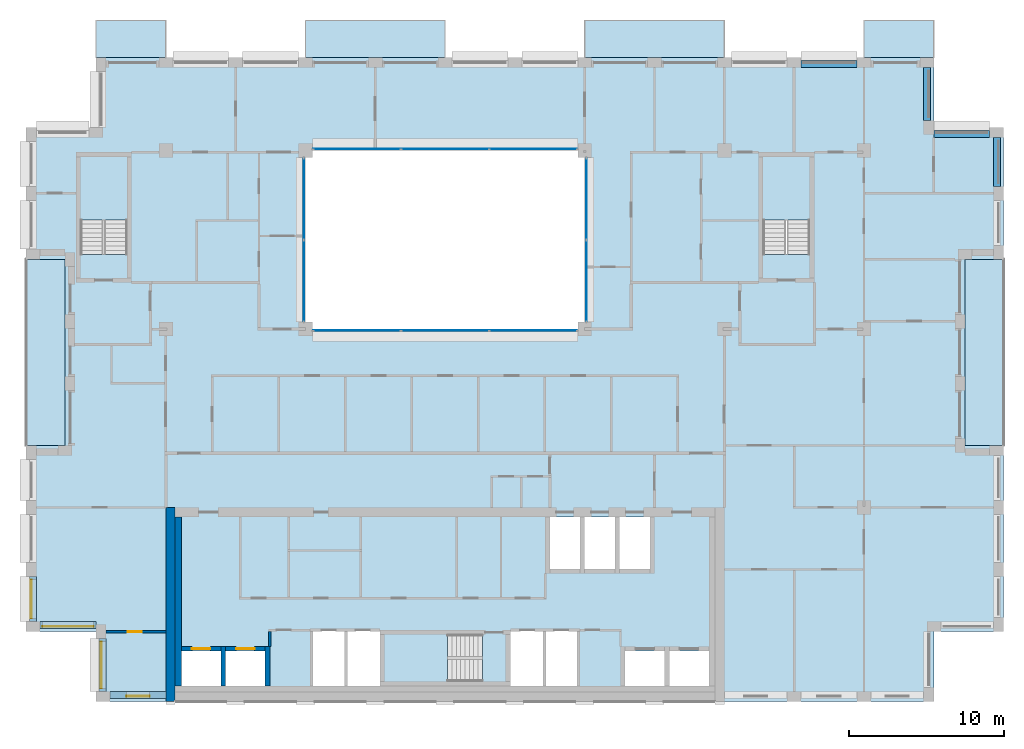
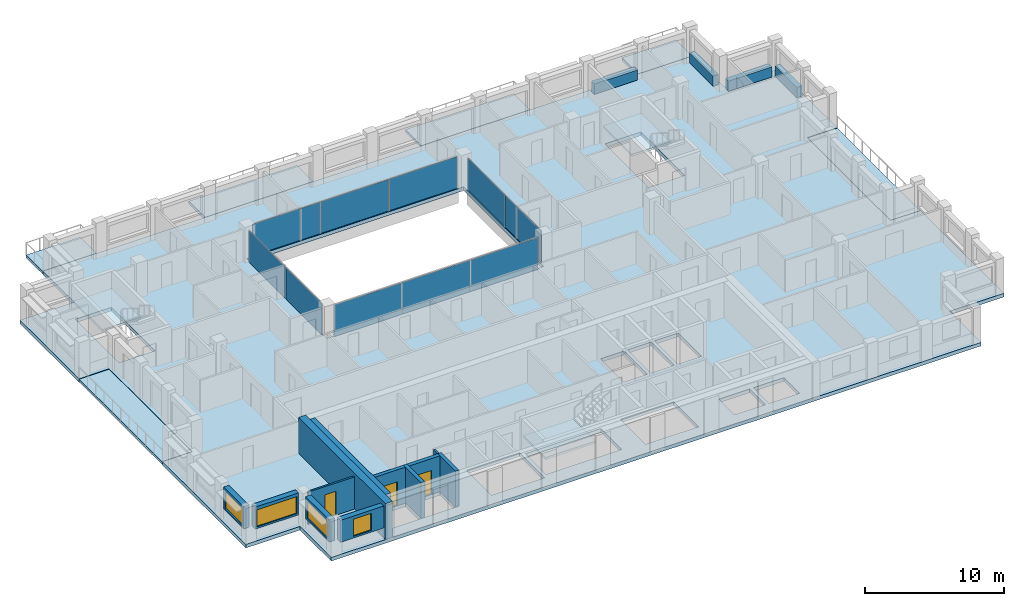
# One storey, part 7 of 15: 12 walls, 10 plates, 10 slabs, 4 beams, 4 windows, 3 doors, 7 openings, 7 elements without a shape of their own.
"""IFC4 building model written with IfcOpenShell, lengths in metres."""

from ifc_helpers import new_model, si_unit, direction, frame, frame_2d, origin, origin_2d, place, context, subcontext, project, spatial, polyline, rectangle, outline, extrude, material, layer, layer_set, material_profile, profile_set, type_object, element, fill, aggregate, save


model = new_model("IFC4")

# Units and contexts
model_context = context("Model", 3, precision=1e-05, world=origin(), true_north=direction((0.0, 1.0)))
body_context = subcontext(model_context, "Body", "Model", "MODEL_VIEW")
ifc_project = project(units=[si_unit("LENGTHUNIT", "METRE"), si_unit("AREAUNIT", "SQUARE_METRE"), si_unit("VOLUMEUNIT", "CUBIC_METRE"), si_unit("PLANEANGLEUNIT", "RADIAN"), si_unit("MASSUNIT", "GRAM", prefix="KILO")], contexts=[model_context])

# Site, building, storey
site_placement = place(None, origin())
site = spatial("IfcSite", under=ifc_project, at=site_placement, CompositionType="ELEMENT")
building_placement = place(site_placement, origin())
building = spatial("IfcBuilding", under=site, at=building_placement, Name="Brigalow Station Residences", CompositionType="ELEMENT")
storey_placement = place(building_placement, frame((0.0, 0.0, 220.050048828125)))
storey = spatial("IfcBuildingStorey", under=building, at=storey_placement, Name="L63", CompositionType="ELEMENT", Elevation=220.050048828125)

# Beams
ifc_material_1 = material(Name="Concrete C50", Category="concrete")
ifc_material_profile = material_profile(ifc_material_1, rectangle(XDim=0.449951171875, YDim=0.89990234375, at=origin_2d()), Name="RC450x900")
ifc_profile_set = profile_set([ifc_material_profile], Name="Concrete C50")
beam_type = type_object("IfcBeamType", Name="SPANDREL BEAM 450x900 C50", PredefinedType="SPANDREL", material=ifc_profile_set)
beam_1_placement = place(storey_placement, frame((71.574951171875, 33.199951171875, 0.449951171875), z_axis=(0.0, 1.0, 0.0), x_axis=(-1.0, 0.0, 0.0)))
element("IfcBeam", 1, at=beam_1_placement, inside=storey, type_object=beam_type, Name="L63/spandrel/W-L63-17", PredefinedType="SPANDREL", context=body_context, shape_type="SweptSolid", body=[
    extrude(rectangle(XDim=0.449951171875, YDim=0.89990234375, at=origin_2d()), origin(), (0.0, 0.0, 1.0), 3.150146484375),
])
beam_2_placement = place(storey_placement, frame((71.10009765625, 36.574951171875, 0.449951171875), z_axis=(-1.0, 0.0, 0.0), x_axis=(0.0, -1.0, 0.0)))
element("IfcBeam", 2, at=beam_2_placement, inside=storey, type_object=beam_type, Name="L63/spandrel/W-L63-18", PredefinedType="SPANDREL", context=body_context, shape_type="SweptSolid", body=[
    extrude(rectangle(XDim=0.449951171875, YDim=0.89990234375, at=origin_2d()), origin(), (0.0, 0.0, 1.0), 3.60009765625),
])
beam_3_placement = place(storey_placement, frame((67.074951171875, 37.449951171875, 0.449951171875), z_axis=(0.0, 1.0, 0.0), x_axis=(-1.0, 0.0, 0.0)))
element("IfcBeam", 3, at=beam_3_placement, inside=storey, type_object=beam_type, Name="L63/spandrel/W-L63-19", PredefinedType="SPANDREL", context=body_context, shape_type="SweptSolid", body=[
    extrude(rectangle(XDim=0.449951171875, YDim=0.89990234375, at=origin_2d()), origin(), (0.0, 0.0, 1.0), 3.400146484375),
])
beam_4_placement = place(storey_placement, frame((62.550048828125, 41.074951171875, 0.449951171875), z_axis=(-1.0, 0.0, 0.0), x_axis=(0.0, -1.0, 0.0)))
element("IfcBeam", 4, at=beam_4_placement, inside=storey, type_object=beam_type, Name="L63/spandrel/W-L63-21", PredefinedType="SPANDREL", context=body_context, shape_type="SweptSolid", body=[
    extrude(rectangle(XDim=0.449951171875, YDim=0.89990234375, at=origin_2d()), origin(), (0.0, 0.0, 1.0), 3.60009765625),
])

# Curtain wall, plates
ifc_material_2 = material(Name="Aluminium", Category="aluminium")
ifc_layer_1 = layer(ifc_material_2, 0.14990234375)
ifc_layer_set_1 = layer_set([ifc_layer_1], Name="ATRIUM FIRE-RATED GLAZING CURTAIN WALL")
curtain_wall_type = type_object("IfcCurtainWallType", Name="ATRIUM FIRE-RATED GLAZING CURTAIN WALL", PredefinedType="NOTDEFINED", material=ifc_layer_set_1)
curtain_wall_1_placement = place(storey_placement, origin())
curtain_wall_1 = element("IfcCurtainWall", 5, at=curtain_wall_1_placement, inside=storey, type_object=curtain_wall_type, Name="L63/cw/atrium-S", PredefinedType="NOTDEFINED")
ifc_material_3 = material(Name="Fire-resisting laminated glazing, FRL -/60/-", Category="glass")
ifc_layer_2 = layer(ifc_material_3, 0.031982421875)
ifc_layer_set_2 = layer_set([ifc_layer_2], Name="ATRIUM FIRE-RATED GLAZING PANEL 32")
plate_type = type_object("IfcPlateType", Name="ATRIUM FIRE-RATED GLAZING PANEL 32", PredefinedType="CURTAIN_PANEL", material=ifc_layer_set_2)
plate_1_placement = place(storey_placement, frame((30.31494140625, 23.89990234375, 0.0), z_axis=(0.0, 0.0, 1.0), x_axis=(1.0, 0.0, 0.0)))
plate_1 = element("IfcPlate", 6, at=plate_1_placement, type_object=plate_type, Name="L63/cw/atrium-S/P00-00", PredefinedType="CURTAIN_PANEL", context=body_context, shape_type="SweptSolid", body=[
    extrude(rectangle(XDim=5.610107421875, YDim=0.031982421875, at=origin_2d()), origin(), (0.0, 0.0, 1.0), 2.77001953125),
])
plate_2_placement = place(storey_placement, frame((36.0, 23.89990234375, 0.0), z_axis=(0.0, 0.0, 1.0), x_axis=(1.0, 0.0, 0.0)))
plate_2 = element("IfcPlate", 7, at=plate_2_placement, type_object=plate_type, Name="L63/cw/atrium-S/P01-00", PredefinedType="CURTAIN_PANEL", context=body_context, shape_type="SweptSolid", body=[
    extrude(rectangle(XDim=5.639892578125, YDim=0.031982421875, at=origin_2d()), origin(), (0.0, 0.0, 1.0), 2.77001953125),
])
plate_3_placement = place(storey_placement, frame((41.68505859375, 23.89990234375, 0.0), z_axis=(0.0, 0.0, 1.0), x_axis=(1.0, 0.0, 0.0)))
plate_3 = element("IfcPlate", 8, at=plate_3_placement, type_object=plate_type, Name="L63/cw/atrium-S/P02-00", PredefinedType="CURTAIN_PANEL", context=body_context, shape_type="SweptSolid", body=[
    extrude(rectangle(XDim=5.610107421875, YDim=0.031982421875, at=origin_2d()), origin(), (0.0, 0.0, 1.0), 2.77001953125),
])
aggregate(curtain_wall_1, [plate_1, plate_2, plate_3])

curtain_wall_2_placement = place(storey_placement, origin())
curtain_wall_2 = element("IfcCurtainWall", 9, at=curtain_wall_2_placement, inside=storey, type_object=curtain_wall_type, Name="L63/cw/atrium-E", PredefinedType="NOTDEFINED")
plate_4_placement = place(storey_placement, frame((45.10009765625, 27.114990234375, 0.0), z_axis=(0.0, 0.0, 1.0), x_axis=(0.0, 1.0, 0.0)))
plate_4 = element("IfcPlate", 10, at=plate_4_placement, type_object=plate_type, Name="L63/cw/atrium-E/P00-00", PredefinedType="CURTAIN_PANEL", context=body_context, shape_type="SweptSolid", body=[
    extrude(rectangle(XDim=5.2099609375, YDim=0.031982421875, at=origin_2d()), origin(), (0.0, 0.0, 1.0), 2.77001953125),
])
plate_5_placement = place(storey_placement, frame((45.10009765625, 32.385009765625, 0.0), z_axis=(0.0, 0.0, 1.0), x_axis=(0.0, 1.0, 0.0)))
plate_5 = element("IfcPlate", 11, at=plate_5_placement, type_object=plate_type, Name="L63/cw/atrium-E/P01-00", PredefinedType="CURTAIN_PANEL", context=body_context, shape_type="SweptSolid", body=[
    extrude(rectangle(XDim=5.2099609375, YDim=0.031982421875, at=origin_2d()), origin(), (0.0, 0.0, 1.0), 2.77001953125),
])
aggregate(curtain_wall_2, [plate_4, plate_5])

curtain_wall_3_placement = place(storey_placement, origin())
curtain_wall_3 = element("IfcCurtainWall", 12, at=curtain_wall_3_placement, inside=storey, type_object=curtain_wall_type, Name="L63/cw/atrium-N", PredefinedType="NOTDEFINED")
plate_6_placement = place(storey_placement, frame((41.68505859375, 35.60009765625, 0.0), z_axis=(0.0, 0.0, 1.0), x_axis=(-1.0, 0.0, 0.0)))
plate_6 = element("IfcPlate", 13, at=plate_6_placement, type_object=plate_type, Name="L63/cw/atrium-N/P00-00", PredefinedType="CURTAIN_PANEL", context=body_context, shape_type="SweptSolid", body=[
    extrude(rectangle(XDim=5.610107421875, YDim=0.031982421875, at=origin_2d()), origin(), (0.0, 0.0, 1.0), 2.77001953125),
])
plate_7_placement = place(storey_placement, frame((36.0, 35.60009765625, 0.0), z_axis=(0.0, 0.0, 1.0), x_axis=(-1.0, 0.0, 0.0)))
plate_7 = element("IfcPlate", 14, at=plate_7_placement, type_object=plate_type, Name="L63/cw/atrium-N/P01-00", PredefinedType="CURTAIN_PANEL", context=body_context, shape_type="SweptSolid", body=[
    extrude(rectangle(XDim=5.639892578125, YDim=0.031982421875, at=origin_2d()), origin(), (0.0, 0.0, 1.0), 2.77001953125),
])
plate_8_placement = place(storey_placement, frame((30.31494140625, 35.60009765625, 0.0), z_axis=(0.0, 0.0, 1.0), x_axis=(-1.0, 0.0, 0.0)))
plate_8 = element("IfcPlate", 15, at=plate_8_placement, type_object=plate_type, Name="L63/cw/atrium-N/P02-00", PredefinedType="CURTAIN_PANEL", context=body_context, shape_type="SweptSolid", body=[
    extrude(rectangle(XDim=5.610107421875, YDim=0.031982421875, at=origin_2d()), origin(), (0.0, 0.0, 1.0), 2.77001953125),
])
aggregate(curtain_wall_3, [plate_6, plate_7, plate_8])

curtain_wall_4_placement = place(storey_placement, origin())
curtain_wall_4 = element("IfcCurtainWall", 16, at=curtain_wall_4_placement, inside=storey, type_object=curtain_wall_type, Name="L63/cw/atrium-W", PredefinedType="NOTDEFINED")
plate_9_placement = place(storey_placement, frame((26.89990234375, 32.385009765625, 0.0), z_axis=(0.0, 0.0, 1.0), x_axis=(0.0, -1.0, 0.0)))
plate_9 = element("IfcPlate", 17, at=plate_9_placement, type_object=plate_type, Name="L63/cw/atrium-W/P00-00", PredefinedType="CURTAIN_PANEL", context=body_context, shape_type="SweptSolid", body=[
    extrude(rectangle(XDim=5.2099609375, YDim=0.031982421875, at=origin_2d()), origin(), (0.0, 0.0, 1.0), 2.77001953125),
])
plate_10_placement = place(storey_placement, frame((26.89990234375, 27.114990234375, 0.0), z_axis=(0.0, 0.0, 1.0), x_axis=(0.0, -1.0, 0.0)))
plate_10 = element("IfcPlate", 18, at=plate_10_placement, type_object=plate_type, Name="L63/cw/atrium-W/P01-00", PredefinedType="CURTAIN_PANEL", context=body_context, shape_type="SweptSolid", body=[
    extrude(rectangle(XDim=5.2099609375, YDim=0.031982421875, at=origin_2d()), origin(), (0.0, 0.0, 1.0), 2.77001953125),
])
aggregate(curtain_wall_4, [plate_9, plate_10])

# Slabs
ifc_material_4 = material(Name="Concrete C50 precast", Category="concrete")
ifc_layer_3 = layer(ifc_material_4, 0.25)
ifc_layer_set_3 = layer_set([ifc_layer_3], Name="BALCONY SLAB 250")
slab_type_1 = type_object("IfcSlabType", Name="BALCONY SLAB 250", PredefinedType="USERDEFINED", material=ifc_layer_set_3)
slab_1_placement = place(storey_placement, frame((0.0, 0.0, -0.2900390625)))
element("IfcSlab", 19, at=slab_1_placement, inside=storey, type_object=slab_type_1, Name="L63/balcony/1", ObjectType="BALCONY", PredefinedType="USERDEFINED", context=body_context, shape_type="SweptSolid", body=[
    extrude(outline(polyline([(69.5, 16.5), (72.0, 16.5), (72.0, 28.5), (69.5, 28.5), (69.5, 16.5)])), origin(), (0.0, 0.0, 1.0), 0.25),
])
slab_2_placement = place(storey_placement, frame((0.0, 0.0, -0.2900390625)))
element("IfcSlab", 20, at=slab_2_placement, inside=storey, type_object=slab_type_1, Name="L63/balcony/2", ObjectType="BALCONY", PredefinedType="USERDEFINED", context=body_context, shape_type="SweptSolid", body=[
    extrude(outline(polyline([(67.5, 41.5), (67.5, 43.89990234375), (63.0, 43.89990234375), (63.0, 41.5), (67.5, 41.5)])), origin(), (0.0, 0.0, 1.0), 0.25),
])
slab_3_placement = place(storey_placement, frame((0.0, 0.0, -0.2900390625)))
element("IfcSlab", 21, at=slab_3_placement, inside=storey, type_object=slab_type_1, Name="L63/balcony/3", ObjectType="BALCONY", PredefinedType="USERDEFINED", context=body_context, shape_type="SweptSolid", body=[
    extrude(outline(polyline([(54.0, 41.5), (54.0, 43.89990234375), (45.0, 43.89990234375), (45.0, 41.5), (54.0, 41.5)])), origin(), (0.0, 0.0, 1.0), 0.25),
])
slab_4_placement = place(storey_placement, frame((0.0, 0.0, -0.2900390625)))
element("IfcSlab", 22, at=slab_4_placement, inside=storey, type_object=slab_type_1, Name="L63/balcony/4", ObjectType="BALCONY", PredefinedType="USERDEFINED", context=body_context, shape_type="SweptSolid", body=[
    extrude(outline(polyline([(36.0, 41.5), (36.0, 43.89990234375), (27.0, 43.89990234375), (27.0, 41.5), (36.0, 41.5)])), origin(), (0.0, 0.0, 1.0), 0.25),
])
slab_5_placement = place(storey_placement, frame((0.0, 0.0, -0.2900390625)))
element("IfcSlab", 23, at=slab_5_placement, inside=storey, type_object=slab_type_1, Name="L63/balcony/5", ObjectType="BALCONY", PredefinedType="USERDEFINED", context=body_context, shape_type="SweptSolid", body=[
    extrude(outline(polyline([(18.0, 41.5), (18.0, 43.89990234375), (13.5, 43.89990234375), (13.5, 41.5), (18.0, 41.5)])), origin(), (0.0, 0.0, 1.0), 0.25),
])
slab_6_placement = place(storey_placement, frame((0.0, 0.0, -0.2900390625)))
element("IfcSlab", 24, at=slab_6_placement, inside=storey, type_object=slab_type_1, Name="L63/balcony/6", ObjectType="BALCONY", PredefinedType="USERDEFINED", context=body_context, shape_type="SweptSolid", body=[
    extrude(outline(polyline([(11.5, 28.5), (9.0, 28.5), (9.0, 16.5), (11.5, 16.5), (11.5, 28.5)])), origin(), (0.0, 0.0, 1.0), 0.25),
])
ifc_material_5 = material(Name="Concrete C50", Category="concrete")
ifc_layer_4 = layer(ifc_material_5, 0.320068359375)
ifc_layer_set_4 = layer_set([ifc_layer_4], Name="POST-TENSIONED FLAT PLATE 320 C50")
slab_type_2 = type_object("IfcSlabType", Name="POST-TENSIONED FLAT PLATE 320 C50", PredefinedType="FLOOR", material=ifc_layer_set_4)
slab_7_placement = place(storey_placement, frame((0.0, 0.0, -0.320068359375)))
element("IfcSlab", 25, at=slab_7_placement, inside=storey, type_object=slab_type_2, Name="FLOOR SLAB L63", PredefinedType="FLOOR", context=body_context, shape_type="SweptSolid", body=[
    extrude(outline(polyline([(13.5, 0.0), (67.5, 0.0), (67.5, 4.5), (72.0, 4.5), (72.0, 16.5), (69.5, 16.5), (69.5, 28.5), (72.0, 28.5), (72.0, 37.0), (67.5, 37.0), (67.5, 41.5), (13.5, 41.5), (13.5, 37.0), (9.0, 37.0), (9.0, 28.5), (11.5, 28.5), (11.5, 16.5), (9.0, 16.5), (9.0, 4.5), (13.5, 4.5), (13.5, 0.0)]), holes=[polyline([(12.5048828125, 35.094970703125), (15.4951171875, 35.094970703125), (15.4951171875, 28.804931640625), (12.5048828125, 28.804931640625), (12.5048828125, 35.094970703125)]), polyline([(19.0, 1.0), (19.0, 3.25), (21.550048828125, 3.25), (21.550048828125, 1.0), (19.0, 1.0)]), polyline([(21.85009765625, 3.25), (24.39990234375, 3.25), (24.39990234375, 1.0), (21.85009765625, 1.0), (21.85009765625, 3.25)]), polyline([(27.0, 35.5), (45.0, 35.5), (45.0, 24.0), (27.0, 24.0), (27.0, 35.5)]), polyline([(29.60009765625, 4.60009765625), (31.800048828125, 4.60009765625), (31.800048828125, 1.0), (29.60009765625, 1.0), (27.39990234375, 1.0), (27.39990234375, 4.60009765625), (29.60009765625, 4.60009765625)]), polyline([(32.10498046875, 4.294921875), (38.39501953125, 4.294921875), (38.39501953125, 1.304931640625), (32.10498046875, 1.304931640625), (32.10498046875, 4.294921875)]), polyline([(40.199951171875, 4.60009765625), (42.39990234375, 4.60009765625), (44.60009765625, 4.60009765625), (44.60009765625, 1.0), (42.39990234375, 1.0), (40.199951171875, 1.0), (40.199951171875, 4.60009765625)]), polyline([(42.75, 11.89990234375), (44.699951171875, 11.89990234375), (44.699951171875, 8.550048828125), (42.75, 8.550048828125), (42.75, 11.89990234375)]), polyline([(45.0, 11.89990234375), (46.949951171875, 11.89990234375), (46.949951171875, 8.550048828125), (45.0, 8.550048828125), (45.0, 11.89990234375)]), polyline([(47.25, 11.89990234375), (49.199951171875, 11.89990234375), (49.199951171875, 8.550048828125), (47.25, 8.550048828125), (47.25, 11.89990234375)]), polyline([(47.60009765625, 3.25), (50.14990234375, 3.25), (50.14990234375, 1.0), (47.60009765625, 1.0), (47.60009765625, 3.25)]), polyline([(50.449951171875, 3.25), (53.0, 3.25), (53.0, 1.0), (50.449951171875, 1.0), (50.449951171875, 3.25)]), polyline([(56.5048828125, 35.094970703125), (59.4951171875, 35.094970703125), (59.4951171875, 28.804931640625), (56.5048828125, 28.804931640625), (56.5048828125, 35.094970703125)])]), origin(), (0.0, 0.0, 1.0), 0.320068359375),
])

# Stair, slab
ifc_material_6 = material(Name="Concrete C50", Category="concrete")
stair_type = type_object("IfcStairType", Name="EXIT STAIR 1400 2 FLIGHT", PredefinedType="HALF_TURN_STAIR", material=ifc_material_6)
stair_1_placement = place(storey_placement, origin())
stair_1 = element("IfcStair", 26, at=stair_1_placement, inside=storey, type_object=stair_type, Name="EXIT STAIR S2 L63", PredefinedType="HALF_TURN_STAIR")
ifc_material_7 = material(Name="Concrete C50", Category="concrete")
ifc_layer_5 = layer(ifc_material_7, 0.199951171875)
ifc_layer_set_5 = layer_set([ifc_layer_5], Name="STAIR LANDING 200")
slab_type_3 = type_object("IfcSlabType", Name="STAIR LANDING 200", PredefinedType="LANDING", material=ifc_layer_set_5)
slab_8_placement = place(storey_placement, frame((0.0, 0.0, 1.375)))
slab_8 = element("IfcSlab", 27, at=slab_8_placement, type_object=slab_type_3, Name="ST-2 landing 1", PredefinedType="LANDING", context=body_context, shape_type="SweptSolid", body=[
    extrude(outline(polyline([(32.0, 1.199951171875), (36.159912109375, 1.199951171875), (36.159912109375, 4.39990234375), (32.0, 4.39990234375), (32.0, 1.199951171875)])), origin(), (0.0, 0.0, 1.0), 0.199951171875),
])
aggregate(stair_1, [slab_8])

stair_2_placement = place(storey_placement, origin())
stair_2 = element("IfcStair", 28, at=stair_2_placement, inside=storey, type_object=stair_type, Name="EXIT STAIR S1 L63", PredefinedType="HALF_TURN_STAIR")
slab_9_placement = place(storey_placement, frame((0.0, 0.0, 1.375)))
slab_9 = element("IfcSlab", 29, at=slab_9_placement, type_object=slab_type_3, Name="ST-1 landing 1", PredefinedType="LANDING", context=body_context, shape_type="SweptSolid", body=[
    extrude(outline(polyline([(12.39990234375, 31.0400390625), (15.60009765625, 31.0400390625), (15.60009765625, 35.199951171875), (12.39990234375, 35.199951171875), (12.39990234375, 31.0400390625)])), origin(), (0.0, 0.0, 1.0), 0.199951171875),
])
aggregate(stair_2, [slab_9])

stair_3_placement = place(storey_placement, origin())
stair_3 = element("IfcStair", 30, at=stair_3_placement, inside=storey, type_object=stair_type, Name="EXIT STAIR S3 L63", PredefinedType="HALF_TURN_STAIR")
slab_10_placement = place(storey_placement, frame((0.0, 0.0, 1.375)))
slab_10 = element("IfcSlab", 31, at=slab_10_placement, type_object=slab_type_3, Name="ST-3 landing 1", PredefinedType="LANDING", context=body_context, shape_type="SweptSolid", body=[
    extrude(outline(polyline([(56.39990234375, 31.0400390625), (59.60009765625, 31.0400390625), (59.60009765625, 35.199951171875), (56.39990234375, 35.199951171875), (56.39990234375, 31.0400390625)])), origin(), (0.0, 0.0, 1.0), 0.199951171875),
])
aggregate(stair_3, [slab_10])

# Wall, opening, window
ifc_material_8 = material(Name="Clay brick masonry", Category="masonry")
ifc_layer_6 = layer(ifc_material_8, 0.449951171875)
ifc_layer_set_6 = layer_set([ifc_layer_6], Name="BRICK INFILL WALL 450")
wall_type_1 = type_object("IfcWallType", Name="BRICK INFILL WALL 450", PredefinedType="SOLIDWALL", material=ifc_layer_set_6)
wall_1_placement = place(storey_placement, frame((14.39990234375, 0.425048828125, 0.89990234375), z_axis=(0.0, 0.0, 1.0), x_axis=(1.0, 0.0, 0.0)))
wall_1 = element("IfcWall", 32, at=wall_1_placement, inside=storey, type_object=wall_type_1, Name="L63/ewall/W-L63-1", PredefinedType="SOLIDWALL", context=body_context, shape_type="SweptSolid", body=[
    extrude(rectangle(XDim=3.60009765625, YDim=0.449951171875, at=frame_2d((1.800048828125, 0.0))), origin(), (0.0, 0.0, 1.0), 1.929931640625),
])
opening_1_placement = place(wall_1_placement, frame((1.050048828125, 0.0, 0.14990234375)))
opening_1 = element("IfcOpeningElement", 33, at=opening_1_placement, cuts=wall_1, Name="Opening WT-1", PredefinedType="OPENING", context=body_context, shape_type="SweptSolid", body=[
    extrude(rectangle(XDim=1.5, YDim=1.5, at=frame_2d((0.75, 0.75))), frame((0.0, 0.23486328125, 0.0), z_axis=(0.0, -1.0, 0.0), x_axis=(1.0, 0.0, 0.0)), (0.0, 0.0, 1.0), 0.469970703125),
])
ifc_material_9 = material(Name="Anodised aluminium frame with double glazing", Category="aluminium")
window_type_1 = type_object("IfcWindowType", Name="WINDOW 1500x1500", PartitioningType="SINGLE_PANEL", PredefinedType="WINDOW", material=ifc_material_9)
window_1_placement = place(opening_1_placement, origin())
window_1 = element("IfcWindow", 34, at=window_1_placement, inside=storey, type_object=window_type_1, Name="L63/window/W-L63-1", OverallHeight=1.5, OverallWidth=1.5, PartitioningType="SINGLE_PANEL", PredefinedType="WINDOW", context=body_context, shape_type="SweptSolid", body=[
    extrude(rectangle(XDim=1.5, YDim=1.5, at=frame_2d((0.75, 0.75))), frame((0.0, -0.06494140625, 0.0), z_axis=(0.0, -1.0, 0.0), x_axis=(1.0, 0.0, 0.0)), (0.0, 0.0, 1.0), 0.06005859375),
])
fill(opening_1, window_1)

wall_2_placement = place(storey_placement, frame((9.425048828125, 8.050048828125, 0.89990234375), z_axis=(0.0, 0.0, 1.0), x_axis=(0.0, -1.0, 0.0)))
wall_2 = element("IfcWall", 35, at=wall_2_placement, inside=storey, type_object=wall_type_1, Name="L63/ewall/W-L63-43", PredefinedType="SOLIDWALL", context=body_context, shape_type="SweptSolid", body=[
    extrude(rectangle(XDim=2.900146484375, YDim=0.449951171875, at=frame_2d((1.4501953125, 0.0))), origin(), (0.0, 0.0, 1.0), 1.929931640625),
])
opening_2_placement = place(wall_2_placement, frame((0.199951171875, 0.0, 0.14990234375)))
opening_2 = element("IfcOpeningElement", 36, at=opening_2_placement, cuts=wall_2, Name="Opening WT-5", PredefinedType="OPENING", context=body_context, shape_type="SweptSolid", body=[
    extrude(rectangle(XDim=2.5, YDim=1.5, at=frame_2d((1.25, 0.75))), frame((0.0, 0.23486328125, 0.0), z_axis=(0.0, -1.0, 0.0), x_axis=(1.0, 0.0, 0.0)), (0.0, 0.0, 1.0), 0.469970703125),
])
ifc_material_10 = material(Name="Anodised aluminium frame with double glazing", Category="aluminium")
window_type_2 = type_object("IfcWindowType", Name="WINDOW 2500x1500", PartitioningType="SINGLE_PANEL", PredefinedType="WINDOW", material=ifc_material_10)
window_2_placement = place(opening_2_placement, origin())
window_2 = element("IfcWindow", 37, at=window_2_placement, inside=storey, type_object=window_type_2, Name="L63/window/W-L63-43", OverallHeight=1.5, OverallWidth=2.5, PartitioningType="SINGLE_PANEL", PredefinedType="WINDOW", context=body_context, shape_type="SweptSolid", body=[
    extrude(rectangle(XDim=2.5, YDim=1.5, at=frame_2d((1.25, 0.75))), frame((0.0, -0.06494140625, 0.0), z_axis=(0.0, -1.0, 0.0), x_axis=(1.0, 0.0, 0.0)), (0.0, 0.0, 1.0), 0.06005859375),
])
fill(opening_2, window_2)

wall_3_placement = place(storey_placement, frame((9.89990234375, 4.925048828125, 0.89990234375), z_axis=(0.0, 0.0, 1.0), x_axis=(1.0, 0.0, 0.0)))
wall_3 = element("IfcWall", 38, at=wall_3_placement, inside=storey, type_object=wall_type_1, Name="L63/ewall/W-L63-44", PredefinedType="SOLIDWALL", context=body_context, shape_type="SweptSolid", body=[
    extrude(rectangle(XDim=3.60009765625, YDim=0.449951171875, at=frame_2d((1.800048828125, 0.0))), origin(), (0.0, 0.0, 1.0), 1.929931640625),
])
opening_3_placement = place(wall_3_placement, frame((0.14990234375, 0.0, 0.14990234375)))
opening_3 = element("IfcOpeningElement", 39, at=opening_3_placement, cuts=wall_3, Name="Opening WT-10", PredefinedType="OPENING", context=body_context, shape_type="SweptSolid", body=[
    extrude(rectangle(XDim=3.300048828125, YDim=1.5, at=frame_2d((1.64990234375, 0.75))), frame((0.0, 0.23486328125, 0.0), z_axis=(0.0, -1.0, 0.0), x_axis=(1.0, 0.0, 0.0)), (0.0, 0.0, 1.0), 0.469970703125),
])
ifc_material_11 = material(Name="Anodised aluminium frame with double glazing", Category="aluminium")
window_type_3 = type_object("IfcWindowType", Name="WINDOW 3300x1500", PartitioningType="SINGLE_PANEL", PredefinedType="WINDOW", material=ifc_material_11)
window_3_placement = place(opening_3_placement, origin())
window_3 = element("IfcWindow", 40, at=window_3_placement, inside=storey, type_object=window_type_3, Name="L63/window/W-L63-44", OverallHeight=1.5, OverallWidth=3.300048828125, PartitioningType="SINGLE_PANEL", PredefinedType="WINDOW", context=body_context, shape_type="SweptSolid", body=[
    extrude(rectangle(XDim=3.300048828125, YDim=1.5, at=frame_2d((1.64990234375, 0.75))), frame((0.0, -0.06494140625, 0.0), z_axis=(0.0, -1.0, 0.0), x_axis=(1.0, 0.0, 0.0)), (0.0, 0.0, 1.0), 0.06005859375),
])
fill(opening_3, window_3)

wall_4_placement = place(storey_placement, frame((13.925048828125, 4.050048828125, 0.89990234375), z_axis=(0.0, 0.0, 1.0), x_axis=(0.0, -1.0, 0.0)))
wall_4 = element("IfcWall", 41, at=wall_4_placement, inside=storey, type_object=wall_type_1, Name="L63/ewall/W-L63-45", PredefinedType="SOLIDWALL", context=body_context, shape_type="SweptSolid", body=[
    extrude(rectangle(XDim=3.400146484375, YDim=0.449951171875, at=frame_2d((1.7001953125, 0.0))), origin(), (0.0, 0.0, 1.0), 1.929931640625),
])
opening_4_placement = place(wall_4_placement, frame((0.199951171875, 0.0, 0.14990234375)))
opening_4 = element("IfcOpeningElement", 42, at=opening_4_placement, cuts=wall_4, Name="Opening WT-2", PredefinedType="OPENING", context=body_context, shape_type="SweptSolid", body=[
    extrude(rectangle(XDim=3.0, YDim=1.5, at=frame_2d((1.5, 0.75))), frame((0.0, 0.23486328125, 0.0), z_axis=(0.0, -1.0, 0.0), x_axis=(1.0, 0.0, 0.0)), (0.0, 0.0, 1.0), 0.469970703125),
])
ifc_material_12 = material(Name="Anodised aluminium frame with double glazing", Category="aluminium")
window_type_4 = type_object("IfcWindowType", Name="WINDOW 3000x1500", PartitioningType="SINGLE_PANEL", PredefinedType="WINDOW", material=ifc_material_12)
window_4_placement = place(opening_4_placement, origin())
window_4 = element("IfcWindow", 43, at=window_4_placement, inside=storey, type_object=window_type_4, Name="L63/window/W-L63-45", OverallHeight=1.5, OverallWidth=3.0, PartitioningType="SINGLE_PANEL", PredefinedType="WINDOW", context=body_context, shape_type="SweptSolid", body=[
    extrude(rectangle(XDim=3.0, YDim=1.5, at=frame_2d((1.5, 0.75))), frame((0.0, -0.06494140625, 0.0), z_axis=(0.0, -1.0, 0.0), x_axis=(1.0, 0.0, 0.0)), (0.0, 0.0, 1.0), 0.06005859375),
])
fill(opening_4, window_4)

# Wall, opening, door
ifc_material_13 = material(Name="Concrete C50", Category="concrete")
ifc_layer_7 = layer(ifc_material_13, 0.300048828125)
ifc_layer_set_7 = layer_set([ifc_layer_7], Name="CORE SHEAR WALL 300 C50")
wall_type_2 = type_object("IfcWallType", Name="CORE SHEAR WALL 300 C50", PredefinedType="SHEAR", material=ifc_layer_set_7)
wall_5_placement = place(storey_placement, frame((19.0, 3.39990234375, 0.0), z_axis=(0.0, 0.0, 1.0), x_axis=(1.0, 0.0, 0.0)))
wall_5 = element("IfcWall", 44, at=wall_5_placement, inside=storey, type_object=wall_type_2, Name="CORE WALL SH-C1-N L63", PredefinedType="SHEAR", context=body_context, shape_type="SweptSolid", body=[
    extrude(rectangle(XDim=2.550048828125, YDim=0.300048828125, at=frame_2d((1.27490234375, 0.0))), origin(), (0.0, 0.0, 1.0), 3.14990234375),
])
opening_5_placement = place(wall_5_placement, frame((0.675048828125, 0.0, 0.0)))
opening_5 = element("IfcOpeningElement", 45, at=opening_5_placement, cuts=wall_5, Name="Opening LD-LB1", PredefinedType="OPENING", context=body_context, shape_type="SweptSolid", body=[
    extrude(rectangle(XDim=1.199951171875, YDim=2.10009765625, at=frame_2d((0.60009765625, 1.050048828125))), frame((0.0, 0.16015625, 0.0), z_axis=(0.0, -1.0, 0.0), x_axis=(1.0, 0.0, 0.0)), (0.0, 0.0, 1.0), 0.320068359375),
])
ifc_material_14 = material(Name="Stainless steel sliding door leaves", Category="steel")
door_type_1 = type_object("IfcDoorType", Name="LIFT LANDING DOOR 1200 x 2100", OperationType="DOUBLE_DOOR_SLIDING", PredefinedType="DOOR", material=ifc_material_14)
door_1_placement = place(opening_5_placement, origin())
door_1 = element("IfcDoor", 46, at=door_1_placement, inside=storey, type_object=door_type_1, Name="LANDING DOOR LB1", OperationType="DOUBLE_DOOR_SLIDING", OverallHeight=2.10009765625, OverallWidth=1.199951171875, PredefinedType="DOOR", context=body_context, shape_type="SweptSolid", body=[
    extrude(rectangle(XDim=1.199951171875, YDim=2.10009765625, at=frame_2d((0.60009765625, 1.050048828125))), frame((0.0, 0.02490234375, 0.0), z_axis=(0.0, -1.0, 0.0), x_axis=(1.0, 0.0, 0.0)), (0.0, 0.0, 1.0), 0.050048828125),
])
fill(opening_5, door_1)

wall_6_placement = place(storey_placement, frame((21.85009765625, 3.39990234375, 0.0), z_axis=(0.0, 0.0, 1.0), x_axis=(1.0, 0.0, 0.0)))
wall_6 = element("IfcWall", 47, at=wall_6_placement, inside=storey, type_object=wall_type_2, Name="CORE WALL SH-C2-N L63", PredefinedType="SHEAR", context=body_context, shape_type="SweptSolid", body=[
    extrude(rectangle(XDim=2.5498046875, YDim=0.300048828125, at=frame_2d((1.27490234375, 0.0))), origin(), (0.0, 0.0, 1.0), 3.14990234375),
])
opening_6_placement = place(wall_6_placement, frame((0.675048828125, 0.0, 0.0)))
opening_6 = element("IfcOpeningElement", 48, at=opening_6_placement, cuts=wall_6, Name="Opening LD-LB2", PredefinedType="OPENING", context=body_context, shape_type="SweptSolid", body=[
    extrude(rectangle(XDim=1.199951171875, YDim=2.10009765625, at=frame_2d((0.60009765625, 1.050048828125))), frame((0.0, 0.16015625, 0.0), z_axis=(0.0, -1.0, 0.0), x_axis=(1.0, 0.0, 0.0)), (0.0, 0.0, 1.0), 0.320068359375),
])
door_2_placement = place(opening_6_placement, origin())
door_2 = element("IfcDoor", 49, at=door_2_placement, inside=storey, type_object=door_type_1, Name="LANDING DOOR LB2", OperationType="DOUBLE_DOOR_SLIDING", OverallHeight=2.10009765625, OverallWidth=1.199951171875, PredefinedType="DOOR", context=body_context, shape_type="SweptSolid", body=[
    extrude(rectangle(XDim=1.199951171875, YDim=2.10009765625, at=frame_2d((0.60009765625, 1.050048828125))), frame((0.0, 0.02490234375, 0.0), z_axis=(0.0, -1.0, 0.0), x_axis=(1.0, 0.0, 0.0)), (0.0, 0.0, 1.0), 0.050048828125),
])
fill(opening_6, door_2)

# Walls
for number, where, z_axis, x_axis, name in (
    (50, (21.699951171875, 1.0, 0.0), (0.0, 0.0, 1.0), (0.0, 1.0, 0.0), "CORE WALL SH-C2-W L63"),
    (51, (24.550048828125, 1.0, 0.0), (0.0, 0.0, 1.0), (0.0, 1.0, 0.0), "CORE WALL SH-C2-E L63"),
):
    element("IfcWall", number, at=place(storey_placement, frame(where, z_axis=z_axis, x_axis=x_axis)), inside=storey, type_object=wall_type_2, Name=name, PredefinedType="SHEAR", context=body_context, shape_type="SweptSolid", body=[
        extrude(rectangle(XDim=2.550048828125, YDim=0.300048828125, at=frame_2d((1.27490234375, 0.0))), origin(), (0.0, 0.0, 1.0), 3.14990234375),
    ])
ifc_material_15 = material(Name="Concrete C50", Category="concrete")
ifc_layer_8 = layer(ifc_material_15, 0.39990234375)
ifc_layer_set_8 = layer_set([ifc_layer_8], Name="CORE SHEAR WALL 400 C50")
wall_type_3 = type_object("IfcWallType", Name="CORE SHEAR WALL 400 C50", PredefinedType="SHEAR", material=ifc_layer_set_8)
wall_7_placement = place(storey_placement, frame((18.800048828125, 1.0, 0.0), z_axis=(0.0, 0.0, 1.0), x_axis=(0.0, 1.0, 0.0)))
element("IfcWall", 52, at=wall_7_placement, inside=storey, type_object=wall_type_3, Name="CORE WALL LIN-W L63", PredefinedType="SHEAR", context=body_context, shape_type="SweptSolid", body=[
    extrude(rectangle(XDim=10.89990234375, YDim=0.39990234375, at=frame_2d((5.449951171875, 0.0))), origin(), (0.0, 0.0, 1.0), 3.14990234375),
])
ifc_material_16 = material(Name="Concrete C50", Category="concrete")
ifc_layer_9 = layer(ifc_material_16, 0.60009765625)
ifc_layer_set_9 = layer_set([ifc_layer_9], Name="CORE SHEAR WALL 600 C50")
wall_type_4 = type_object("IfcWallType", Name="CORE SHEAR WALL 600 C50", PredefinedType="SHEAR", material=ifc_layer_set_9)
wall_8_placement = place(storey_placement, frame((18.300048828125, 0.0, 0.0), z_axis=(0.0, 0.0, 1.0), x_axis=(0.0, 1.0, 0.0)))
element("IfcWall", 53, at=wall_8_placement, inside=storey, type_object=wall_type_4, Name="CORE WALL OUT-W L63", PredefinedType="SHEAR", context=body_context, shape_type="SweptSolid", body=[
    extrude(rectangle(XDim=12.5, YDim=0.60009765625, at=frame_2d((6.25, 0.0))), origin(), (0.0, 0.0, 1.0), 3.14990234375),
])

# Wall, opening, door
ifc_material_17 = material(Name="Plasterboard on steel stud partition", Category="steel")
ifc_layer_10 = layer(ifc_material_17, 0.14990234375)
ifc_layer_set_10 = layer_set([ifc_layer_10], Name="FLAT PARTITION 150")
wall_type_5 = type_object("IfcWallType", Name="FLAT PARTITION 150", PredefinedType="PARTITIONING", material=ifc_layer_set_10)
wall_9_placement = place(storey_placement, frame((14.14990234375, 4.5, 0.0), z_axis=(0.0, 0.0, 1.0), x_axis=(1.0, 0.0, 0.0)))
wall_9 = element("IfcWall", 54, at=wall_9_placement, inside=storey, type_object=wall_type_5, Name="PW-4C12", PredefinedType="PARTITIONING", context=body_context, shape_type="SweptSolid", body=[
    extrude(rectangle(XDim=3.85009765625, YDim=0.14990234375, at=frame_2d((1.925048828125, 0.0))), origin(), (0.0, 0.0, 1.0), 2.829833984375),
])
opening_7_placement = place(wall_9_placement, frame((1.39990234375, 0.0, 0.0)))
opening_7 = element("IfcOpeningElement", 55, at=opening_7_placement, cuts=wall_9, Name="Opening D-4C06", PredefinedType="OPENING", context=body_context, shape_type="SweptSolid", body=[
    extrude(rectangle(XDim=0.89990234375, YDim=2.10009765625, at=frame_2d((0.449951171875, 1.050048828125))), frame((0.0, 0.0849609375, 0.0), z_axis=(0.0, -1.0, 0.0), x_axis=(1.0, 0.0, 0.0)), (0.0, 0.0, 1.0), 0.169921875),
])
ifc_material_18 = material(Name="Solid-core timber door leaf", Category="wood")
door_type_2 = type_object("IfcDoorType", Name="INTERNAL DOOR 900 x 2100", OperationType="SINGLE_SWING_LEFT", PredefinedType="DOOR", material=ifc_material_18)
door_3_placement = place(opening_7_placement, frame((0.89990234375, 0.0, 0.0), z_axis=(0.0, 0.0, 1.0), x_axis=(-1.0, 0.0, 0.0)))
door_3 = element("IfcDoor", 56, at=door_3_placement, inside=storey, type_object=door_type_2, Name="D-4C06", OperationType="SINGLE_SWING_RIGHT", OverallHeight=2.10009765625, OverallWidth=0.89990234375, PredefinedType="DOOR", context=body_context, shape_type="SweptSolid", body=[
    extrude(rectangle(XDim=0.89990234375, YDim=2.10009765625, at=frame_2d((0.449951171875, 1.050048828125))), frame((0.0, 0.02490234375, 0.0), z_axis=(0.0, -1.0, 0.0), x_axis=(1.0, 0.0, 0.0)), (0.0, 0.0, 1.0), 0.050048828125),
])
fill(opening_7, door_3)

# Wall
ifc_material_19 = material(Name="Plasterboard on steel studs", Category="steel")
ifc_layer_11 = layer(ifc_material_19, 0.14990234375)
ifc_layer_set_11 = layer_set([ifc_layer_11], Name="SERVICE ROOM PARTITION 150")
wall_type_6 = type_object("IfcWallType", Name="SERVICE ROOM PARTITION 150", PredefinedType="PARTITIONING", material=ifc_layer_set_11)
wall_10_placement = place(storey_placement, frame((24.699951171875, 3.550048828125, 0.0), z_axis=(0.0, 0.0, 1.0), x_axis=(0.0, 1.0, 0.0)))
element("IfcWall", 57, at=wall_10_placement, inside=storey, type_object=wall_type_6, Name="PW-5157", PredefinedType="PARTITIONING", context=body_context, shape_type="SweptSolid", body=[
    extrude(rectangle(XDim=0.974853515625, YDim=0.14990234375, at=frame_2d((0.4873046875, 0.0))), origin(), (0.0, 0.0, 1.0), 2.829833984375),
])

save(model, "model.ifc")
